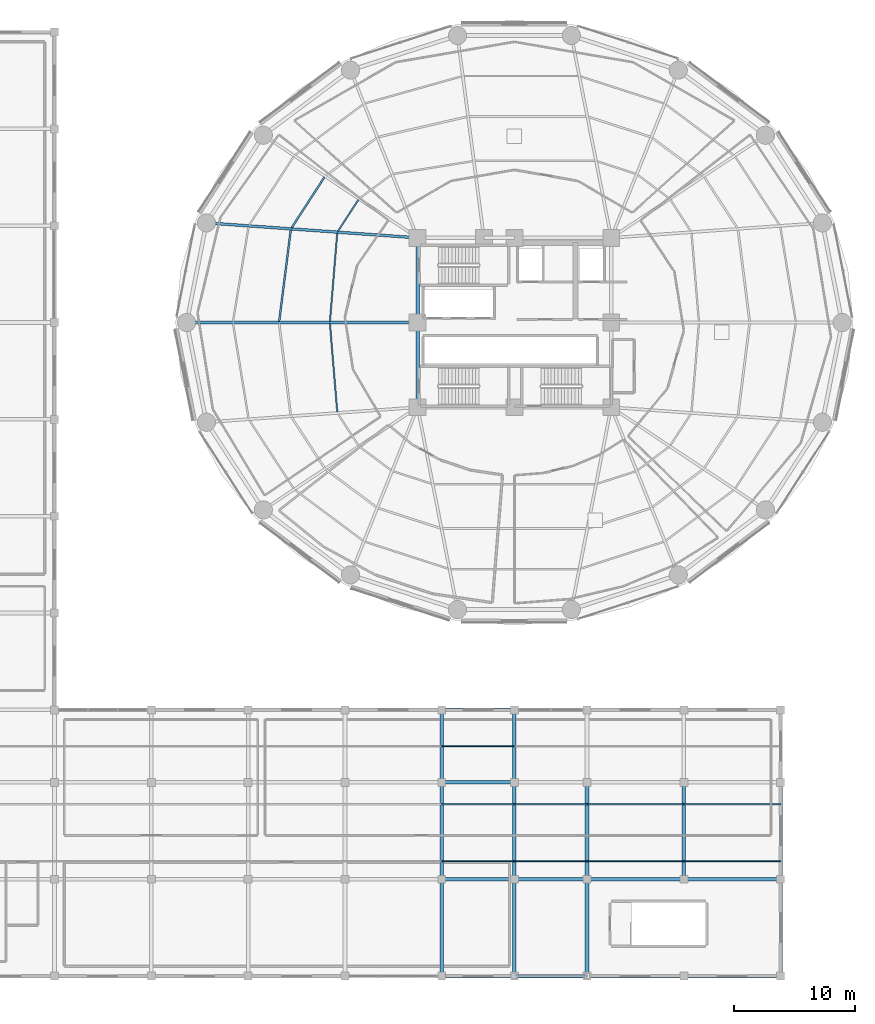
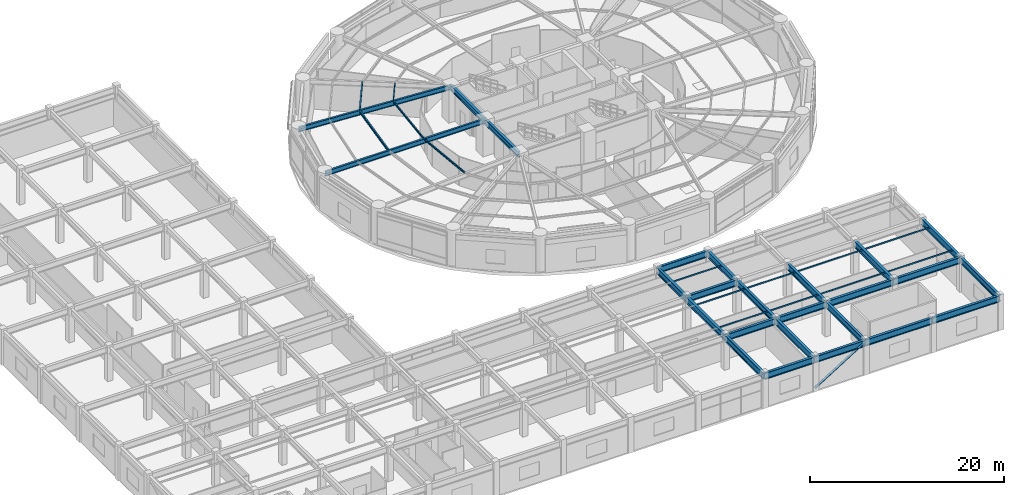
# One storey, part 15 of 46: 30 beams, 10 members.
"""IFC4 building model written with IfcOpenShell, lengths in metres."""

from ifc_helpers import new_model, si_unit, direction, frame, origin, origin_2d, place, context, subcontext, project, spatial, hollow_rectangle, hollow_circle, i_section, extrude, material, material_profile, profile_set, type_object, element, save


model = new_model("IFC4")

# Units and contexts
model_context = context("Model", 3, precision=1e-05, world=origin(), true_north=direction((0.0, 1.0)))
body_context = subcontext(model_context, "Body", "Model", "MODEL_VIEW")
ifc_project = project(units=[si_unit("LENGTHUNIT", "METRE"), si_unit("AREAUNIT", "SQUARE_METRE"), si_unit("VOLUMEUNIT", "CUBIC_METRE"), si_unit("PLANEANGLEUNIT", "RADIAN"), si_unit("MASSUNIT", "GRAM", prefix="KILO")], contexts=[model_context])

# Site, building, storey
site_placement = place(None, origin())
site = spatial("IfcSite", under=ifc_project, at=site_placement, CompositionType="ELEMENT")
building_placement = place(site_placement, origin())
building = spatial("IfcBuilding", under=site, at=building_placement, Name="Kelanora Arch Commons", CompositionType="ELEMENT")
storey_placement = place(building_placement, frame((0.0, 0.0, 18.0)))
storey = spatial("IfcBuildingStorey", under=building, at=storey_placement, Name="L04", CompositionType="ELEMENT", Elevation=18.0)

# Beams
ifc_material = material(Name="Steel S355", Category="steel")
ifc_material_profile_1 = material_profile(ifc_material, i_section(OverallWidth=0.300048828125, OverallDepth=0.699951171875, WebThickness=0.01708984375, FlangeThickness=0.031982421875, FilletRadius=0.027099609375, at=origin_2d()), Name="HEB700")
ifc_profile_set_1 = profile_set([ifc_material_profile_1], Name="Steel S355")
beam_type_1 = type_object("IfcBeamType", Name="BM-CORE-HDR", PredefinedType="BEAM", material=ifc_profile_set_1)
for number, where, z_axis, x_axis, name in (
    (1, (66.0, 65.0, 3.889892578125), (0.0, -1.0, 0.0), (1.0, 0.0, 0.0), "Core Header Beam 08 L04"),
    (2, (66.0, 58.0, 3.889892578125), (0.0, -1.0, 0.0), (1.0, 0.0, 0.0), "Core Header Beam 09 L04"),
):
    element("IfcBeam", number, at=place(storey_placement, frame(where, z_axis=z_axis, x_axis=x_axis)), inside=storey, type_object=beam_type_1, Name=name, PredefinedType="BEAM", context=body_context, shape_type="SweptSolid", body=[
        extrude(i_section(OverallWidth=0.300048828125, OverallDepth=0.699951171875, WebThickness=0.01708984375, FlangeThickness=0.031982421875, FilletRadius=0.027099609375, at=origin_2d()), origin(), (0.0, 0.0, 1.0), 7.0),
    ])
ifc_material_profile_2 = material_profile(ifc_material, i_section(OverallWidth=0.14990234375, OverallDepth=0.300048828125, WebThickness=0.007080078125, FlangeThickness=0.0107421875, FilletRadius=0.014892578125, at=origin_2d()), Name="IPE300")
ifc_profile_set_2 = profile_set([ifc_material_profile_2], Name="Steel S355")
beam_type_2 = type_object("IfcBeamType", Name="BM-JST-01", PredefinedType="JOIST", material=ifc_profile_set_2)
beam_1_placement = place(storey_placement, frame((58.306884765625, 70.015625, 4.090087890625), z_axis=(-0.544551588245, -0.838727350061, 0.0), x_axis=(0.838727350061, -0.544551588245, 0.0)))
element("IfcBeam", 3, at=beam_1_placement, inside=storey, type_object=beam_type_2, Name="Secondary Chord Joist BJB-14 L04", PredefinedType="JOIST", context=body_context, shape_type="SweptSolid", body=[
    extrude(i_section(OverallWidth=0.14990234375, OverallDepth=0.300048828125, WebThickness=0.007080078125, FlangeThickness=0.0107421875, FilletRadius=0.014892578125, at=origin_2d()), origin(), (0.0, 0.0, 1.0), 5.010986328125),
])
beam_2_placement = place(storey_placement, frame((55.521240234375, 65.6572265625, 4.090087890625), z_axis=(-0.125565841651, -0.992085288375, 0.0), x_axis=(0.992085288375, -0.125565841651, 0.0)))
element("IfcBeam", 4, at=beam_2_placement, inside=storey, type_object=beam_type_2, Name="Secondary Chord Joist BJB-16 L04", PredefinedType="JOIST", context=body_context, shape_type="SweptSolid", body=[
    extrude(i_section(OverallWidth=0.14990234375, OverallDepth=0.300048828125, WebThickness=0.007080078125, FlangeThickness=0.0107421875, FilletRadius=0.014892578125, at=origin_2d()), origin(), (0.0, 0.0, 1.0), 7.63330078125),
])
ifc_material_profile_3 = material_profile(ifc_material, i_section(OverallWidth=0.1201171875, OverallDepth=0.239990234375, WebThickness=0.006103515625, FlangeThickness=0.009765625, FilletRadius=0.014892578125, at=origin_2d()), Name="IPE240")
ifc_profile_set_3 = profile_set([ifc_material_profile_3], Name="Steel S355")
beam_type_3 = type_object("IfcBeamType", Name="BM-JST-02", PredefinedType="JOIST", material=ifc_profile_set_3)
beam_3_placement = place(storey_placement, frame((61.11083984375, 68.150390625, 4.1201171875), z_axis=(-0.544591105858, -0.838701691557, 0.0), x_axis=(0.838701691557, -0.544591105858, 0.0)))
element("IfcBeam", 5, at=beam_3_placement, inside=storey, type_object=beam_type_3, Name="Secondary Chord Joist BJA-14 L04", PredefinedType="JOIST", context=body_context, shape_type="SweptSolid", body=[
    extrude(i_section(OverallWidth=0.1201171875, OverallDepth=0.239990234375, WebThickness=0.006103515625, FlangeThickness=0.009765625, FilletRadius=0.014892578125, at=origin_2d()), origin(), (0.0, 0.0, 1.0), 3.111328125),
])
for number, where, z_axis, x_axis, name in (
    (6, (59.363037109375, 65.385009765625, 4.1201171875), (-0.082786209886, -0.996567330115, 0.0), (0.996567330115, -0.082786209886, 0.0), "Secondary Chord Joist BJA-16 L04"),
    (7, (58.756591796875, 57.915283203125, 4.1201171875), (0.082786209886, -0.996567330115, 0.0), (0.996567330115, 0.082786209886, 0.0), "Secondary Chord Joist BJA-18 L04"),
):
    element("IfcBeam", number, at=place(storey_placement, frame(where, z_axis=z_axis, x_axis=x_axis)), inside=storey, type_object=beam_type_3, Name=name, PredefinedType="JOIST", context=body_context, shape_type="SweptSolid", body=[
        extrude(i_section(OverallWidth=0.1201171875, OverallDepth=0.239990234375, WebThickness=0.006103515625, FlangeThickness=0.009765625, FilletRadius=0.014892578125, at=origin_2d()), origin(), (0.0, 0.0, 1.0), 7.325439453125),
    ])
ifc_material_profile_4 = material_profile(ifc_material, i_section(OverallWidth=0.300048828125, OverallDepth=0.800048828125, WebThickness=0.017578125, FlangeThickness=0.032958984375, FilletRadius=0.030029296875, at=origin_2d()), Name="HEB800")
ifc_profile_set_4 = profile_set([ifc_material_profile_4], Name="Steel S355")
beam_type_4 = type_object("IfcBeamType", Name="BM-MKT-ROOF", PredefinedType="USERDEFINED", material=ifc_profile_set_4)
beam_4_placement = place(storey_placement, frame((68.0, 4.0, 3.860107421875), z_axis=(1.0, 0.0, 0.0), x_axis=(0.0, 1.0, 0.0)))
element("IfcBeam", 8, at=beam_4_placement, inside=storey, type_object=beam_type_4, Name="Market/Basement Frame Beam 115 L04", ObjectType="TRANSFER_GIRDER", PredefinedType="USERDEFINED", context=body_context, shape_type="SweptSolid", body=[
    extrude(i_section(OverallWidth=0.300048828125, OverallDepth=0.800048828125, WebThickness=0.017578125, FlangeThickness=0.032958984375, FilletRadius=0.030029296875, at=origin_2d()), origin(), (0.0, 0.0, 1.0), 6.0),
])
beam_5_placement = place(storey_placement, frame((68.0, 4.0, 3.860107421875), z_axis=(0.0, 1.0, 0.0), x_axis=(-1.0, 0.0, 0.0)))
element("IfcBeam", 9, at=beam_5_placement, inside=storey, type_object=beam_type_4, Name="Market/Basement Frame Beam 116 L04", ObjectType="TRANSFER_GIRDER", PredefinedType="USERDEFINED", context=body_context, shape_type="SweptSolid", body=[
    extrude(i_section(OverallWidth=0.300048828125, OverallDepth=0.800048828125, WebThickness=0.017578125, FlangeThickness=0.032958984375, FilletRadius=0.030029296875, at=origin_2d()), origin(), (0.0, 0.0, 1.0), 8.0),
])
beam_6_placement = place(storey_placement, frame((68.0, 12.0, 3.860107421875), z_axis=(1.0, 0.0, 0.0), x_axis=(0.0, 1.0, 0.0)))
element("IfcBeam", 10, at=beam_6_placement, inside=storey, type_object=beam_type_4, Name="Market/Basement Frame Beam 117 L04", ObjectType="TRANSFER_GIRDER", PredefinedType="USERDEFINED", context=body_context, shape_type="SweptSolid", body=[
    extrude(i_section(OverallWidth=0.300048828125, OverallDepth=0.800048828125, WebThickness=0.017578125, FlangeThickness=0.032958984375, FilletRadius=0.030029296875, at=origin_2d()), origin(), (0.0, 0.0, 1.0), 6.0),
])
beam_7_placement = place(storey_placement, frame((68.0, 12.0, 3.860107421875), z_axis=(0.0, 1.0, 0.0), x_axis=(-1.0, 0.0, 0.0)))
element("IfcBeam", 11, at=beam_7_placement, inside=storey, type_object=beam_type_4, Name="Market/Basement Frame Beam 118 L04", ObjectType="TRANSFER_GIRDER", PredefinedType="USERDEFINED", context=body_context, shape_type="SweptSolid", body=[
    extrude(i_section(OverallWidth=0.300048828125, OverallDepth=0.800048828125, WebThickness=0.017578125, FlangeThickness=0.032958984375, FilletRadius=0.030029296875, at=origin_2d()), origin(), (0.0, 0.0, 1.0), 8.0),
])
for number, where, z_axis, x_axis, name in (
    (12, (68.0, 20.0, 3.860107421875), (1.0, 0.0, 0.0), (0.0, 1.0, 0.0), "Market/Basement Frame Beam 119 L04"),
    (13, (68.0, 20.0, 3.860107421875), (0.0, 1.0, 0.0), (-1.0, 0.0, 0.0), "Market/Basement Frame Beam 120 L04"),
    (14, (68.0, 26.0, 3.860107421875), (1.0, 0.0, 0.0), (0.0, 1.0, 0.0), "Market/Basement Frame Beam 121 L04"),
    (15, (74.0, 4.0, 3.860107421875), (1.0, 0.0, 0.0), (0.0, 1.0, 0.0), "Market/Basement Frame Beam 122 L04"),
):
    element("IfcBeam", number, at=place(storey_placement, frame(where, z_axis=z_axis, x_axis=x_axis)), inside=storey, type_object=beam_type_4, Name=name, ObjectType="TRANSFER_GIRDER", PredefinedType="USERDEFINED", context=body_context, shape_type="SweptSolid", body=[
        extrude(i_section(OverallWidth=0.300048828125, OverallDepth=0.800048828125, WebThickness=0.017578125, FlangeThickness=0.032958984375, FilletRadius=0.030029296875, at=origin_2d()), origin(), (0.0, 0.0, 1.0), 6.0),
    ])
beam_8_placement = place(storey_placement, frame((74.0, 4.0, 3.860107421875), z_axis=(0.0, 1.0, 0.0), x_axis=(-1.0, 0.0, 0.0)))
element("IfcBeam", 16, at=beam_8_placement, inside=storey, type_object=beam_type_4, Name="Market/Basement Frame Beam 123 L04", ObjectType="TRANSFER_GIRDER", PredefinedType="USERDEFINED", context=body_context, shape_type="SweptSolid", body=[
    extrude(i_section(OverallWidth=0.300048828125, OverallDepth=0.800048828125, WebThickness=0.017578125, FlangeThickness=0.032958984375, FilletRadius=0.030029296875, at=origin_2d()), origin(), (0.0, 0.0, 1.0), 8.0),
])
beam_9_placement = place(storey_placement, frame((74.0, 12.0, 3.860107421875), z_axis=(1.0, 0.0, 0.0), x_axis=(0.0, 1.0, 0.0)))
element("IfcBeam", 17, at=beam_9_placement, inside=storey, type_object=beam_type_4, Name="Market/Basement Frame Beam 124 L04", ObjectType="TRANSFER_GIRDER", PredefinedType="USERDEFINED", context=body_context, shape_type="SweptSolid", body=[
    extrude(i_section(OverallWidth=0.300048828125, OverallDepth=0.800048828125, WebThickness=0.017578125, FlangeThickness=0.032958984375, FilletRadius=0.030029296875, at=origin_2d()), origin(), (0.0, 0.0, 1.0), 6.0),
])
beam_10_placement = place(storey_placement, frame((74.0, 12.0, 3.860107421875), z_axis=(0.0, 1.0, 0.0), x_axis=(-1.0, 0.0, 0.0)))
element("IfcBeam", 18, at=beam_10_placement, inside=storey, type_object=beam_type_4, Name="Market/Basement Frame Beam 125 L04", ObjectType="TRANSFER_GIRDER", PredefinedType="USERDEFINED", context=body_context, shape_type="SweptSolid", body=[
    extrude(i_section(OverallWidth=0.300048828125, OverallDepth=0.800048828125, WebThickness=0.017578125, FlangeThickness=0.032958984375, FilletRadius=0.030029296875, at=origin_2d()), origin(), (0.0, 0.0, 1.0), 8.0),
])
beam_11_placement = place(storey_placement, frame((74.0, 20.0, 3.860107421875), z_axis=(0.0, 1.0, 0.0), x_axis=(-1.0, 0.0, 0.0)))
element("IfcBeam", 19, at=beam_11_placement, inside=storey, type_object=beam_type_4, Name="Market/Basement Frame Beam 127 L04", ObjectType="TRANSFER_GIRDER", PredefinedType="USERDEFINED", context=body_context, shape_type="SweptSolid", body=[
    extrude(i_section(OverallWidth=0.300048828125, OverallDepth=0.800048828125, WebThickness=0.017578125, FlangeThickness=0.032958984375, FilletRadius=0.030029296875, at=origin_2d()), origin(), (0.0, 0.0, 1.0), 6.0),
])
for number, where, z_axis, x_axis, name in (
    (20, (80.0, 4.0, 3.860107421875), (1.0, 0.0, 0.0), (0.0, 1.0, 0.0), "Market/Basement Frame Beam 129 L04"),
    (21, (80.0, 4.0, 3.860107421875), (0.0, 1.0, 0.0), (-1.0, 0.0, 0.0), "Market/Basement Frame Beam 130 L04"),
    (22, (80.0, 12.0, 3.860107421875), (1.0, 0.0, 0.0), (0.0, 1.0, 0.0), "Market/Basement Frame Beam 131 L04"),
    (23, (80.0, 12.0, 3.860107421875), (0.0, 1.0, 0.0), (-1.0, 0.0, 0.0), "Market/Basement Frame Beam 132 L04"),
    (24, (88.0, 4.0, 3.860107421875), (1.0, 0.0, 0.0), (0.0, 1.0, 0.0), "Market/Basement Frame Beam 136 L04"),
    (25, (88.0, 12.0, 3.860107421875), (1.0, 0.0, 0.0), (0.0, 1.0, 0.0), "Market/Basement Frame Beam 137 L04"),
    (26, (88.0, 12.0, 3.860107421875), (0.0, 1.0, 0.0), (-1.0, 0.0, 0.0), "Market/Basement Frame Beam 138 L04"),
    (27, (96.0, 4.0, 3.860107421875), (0.0, 1.0, 0.0), (-1.0, 0.0, 0.0), "Market/Basement Frame Beam 142 L04"),
    (28, (96.0, 12.0, 3.860107421875), (0.0, 1.0, 0.0), (-1.0, 0.0, 0.0), "Market/Basement Frame Beam 143 L04"),
):
    element("IfcBeam", number, at=place(storey_placement, frame(where, z_axis=z_axis, x_axis=x_axis)), inside=storey, type_object=beam_type_4, Name=name, ObjectType="TRANSFER_GIRDER", PredefinedType="USERDEFINED", context=body_context, shape_type="SweptSolid", body=[
        extrude(i_section(OverallWidth=0.300048828125, OverallDepth=0.800048828125, WebThickness=0.017578125, FlangeThickness=0.032958984375, FilletRadius=0.030029296875, at=origin_2d()), origin(), (0.0, 0.0, 1.0), 8.0),
    ])
ifc_material_profile_5 = material_profile(ifc_material, i_section(OverallWidth=0.219970703125, OverallDepth=0.60009765625, WebThickness=0.011962890625, FlangeThickness=0.01904296875, FilletRadius=0.02392578125, at=origin_2d()), Name="IPE600")
ifc_profile_set_5 = profile_set([ifc_material_profile_5], Name="Steel S355")
beam_type_5 = type_object("IfcBeamType", Name="BM-RAD-Z1", PredefinedType="BEAM", material=ifc_profile_set_5)
beam_12_placement = place(storey_placement, frame((66.0, 65.0, 3.93994140625), z_axis=(-0.997500683472, 0.070656821848, 0.0), x_axis=(-0.070656821848, -0.997500683472, 0.0)))
element("IfcBeam", 29, at=beam_12_placement, inside=storey, type_object=beam_type_5, Name="Radial Floor Girder BR-16 L04", PredefinedType="BEAM", context=body_context, shape_type="SweptSolid", body=[
    extrude(i_section(OverallWidth=0.219970703125, OverallDepth=0.60009765625, WebThickness=0.011962890625, FlangeThickness=0.01904296875, FilletRadius=0.02392578125, at=origin_2d()), origin(), (0.0, 0.0, 1.0), 17.49072265625),
])
beam_13_placement = place(storey_placement, frame((66.0, 58.0, 3.93994140625), z_axis=(-1.0, 0.0, 0.0), x_axis=(0.0, -1.0, 0.0)))
element("IfcBeam", 30, at=beam_13_placement, inside=storey, type_object=beam_type_5, Name="Radial Floor Girder BR-18 L04", PredefinedType="BEAM", context=body_context, shape_type="SweptSolid", body=[
    extrude(i_section(OverallWidth=0.219970703125, OverallDepth=0.60009765625, WebThickness=0.011962890625, FlangeThickness=0.01904296875, FilletRadius=0.02392578125, at=origin_2d()), origin(), (0.0, 0.0, 1.0), 19.080078125),
])

# Members
ifc_material_profile_6 = material_profile(ifc_material, hollow_circle(Radius=0.136474609375, WallThickness=0.012451171875, at=origin_2d()), Name="CHS273x12.5")
ifc_profile_set_6 = profile_set([ifc_material_profile_6], Name="Steel S355")
member_type_1 = type_object("IfcMemberType", Name="MEM-MKT-BRACE", PredefinedType="BRACE", material=ifc_profile_set_6)
member_1_placement = place(storey_placement, frame((74.0, 4.0, 0.25), z_axis=(0.848633994541, 0.0, 0.528980475357), x_axis=(0.0, 1.0, 0.0)))
element("IfcMember", 31, at=member_1_placement, inside=storey, type_object=member_type_1, Name="Market Hall Lateral Brace 02 L04", PredefinedType="BRACE", context=body_context, shape_type="SweptSolid", body=[
    extrude(hollow_circle(Radius=0.136474609375, WallThickness=0.012451171875, at=origin_2d()), origin(), (0.0, 0.0, 1.0), 7.070068359375),
])
ifc_material_profile_7 = material_profile(ifc_material, hollow_rectangle(XDim=0.070068359375, YDim=0.179931640625, WallThickness=0.0048828125, InnerFilletRadius=0.0048828125, OuterFilletRadius=0.010009765625, at=origin_2d()), Name="RHS180x70x5")
ifc_profile_set_7 = profile_set([ifc_material_profile_7], Name="Steel S355")
member_type_2 = type_object("IfcMemberType", Name="MEM-MKT-PURLIN", PredefinedType="PURLIN", material=ifc_profile_set_7)
for number, where, z_axis, x_axis, name in (
    (32, (68.0, 13.5, 4.14990234375), (1.0, 0.0, 0.0), (0.0, 1.0, 0.0), "Market Hall Roof Purlin 09"),
    (33, (74.0, 13.5, 4.14990234375), (1.0, 0.0, 0.0), (0.0, 1.0, 0.0), "Market Hall Roof Purlin 10"),
):
    element("IfcMember", number, at=place(storey_placement, frame(where, z_axis=z_axis, x_axis=x_axis)), inside=storey, type_object=member_type_2, Name=name, PredefinedType="PURLIN", context=body_context, shape_type="SweptSolid", body=[
        extrude(hollow_rectangle(XDim=0.070068359375, YDim=0.179931640625, WallThickness=0.0048828125, InnerFilletRadius=0.0048828125, OuterFilletRadius=0.010009765625, at=origin_2d()), origin(), (0.0, 0.0, 1.0), 6.0),
    ])
for number, where, z_axis, x_axis, name in (
    (34, (80.0, 13.5, 4.14990234375), (1.0, 0.0, 0.0), (0.0, 1.0, 0.0), "Market Hall Roof Purlin 11"),
    (35, (88.0, 13.5, 4.14990234375), (1.0, 0.0, 0.0), (0.0, 1.0, 0.0), "Market Hall Roof Purlin 12"),
):
    element("IfcMember", number, at=place(storey_placement, frame(where, z_axis=z_axis, x_axis=x_axis)), inside=storey, type_object=member_type_2, Name=name, PredefinedType="PURLIN", context=body_context, shape_type="SweptSolid", body=[
        extrude(hollow_rectangle(XDim=0.070068359375, YDim=0.179931640625, WallThickness=0.0048828125, InnerFilletRadius=0.0048828125, OuterFilletRadius=0.010009765625, at=origin_2d()), origin(), (0.0, 0.0, 1.0), 8.0),
    ])
for number, where, z_axis, x_axis, name in (
    (36, (68.0, 18.199951171875, 4.14990234375), (1.0, 0.0, 0.0), (0.0, 1.0, 0.0), "Market Hall Roof Purlin 21"),
    (37, (74.0, 18.199951171875, 4.14990234375), (1.0, 0.0, 0.0), (0.0, 1.0, 0.0), "Market Hall Roof Purlin 22"),
):
    element("IfcMember", number, at=place(storey_placement, frame(where, z_axis=z_axis, x_axis=x_axis)), inside=storey, type_object=member_type_2, Name=name, PredefinedType="PURLIN", context=body_context, shape_type="SweptSolid", body=[
        extrude(hollow_rectangle(XDim=0.070068359375, YDim=0.179931640625, WallThickness=0.0048828125, InnerFilletRadius=0.0048828125, OuterFilletRadius=0.010009765625, at=origin_2d()), origin(), (0.0, 0.0, 1.0), 6.0),
    ])
for number, where, z_axis, x_axis, name in (
    (38, (80.0, 18.199951171875, 4.14990234375), (1.0, 0.0, 0.0), (0.0, 1.0, 0.0), "Market Hall Roof Purlin 23"),
    (39, (88.0, 18.199951171875, 4.14990234375), (1.0, 0.0, 0.0), (0.0, 1.0, 0.0), "Market Hall Roof Purlin 24"),
):
    element("IfcMember", number, at=place(storey_placement, frame(where, z_axis=z_axis, x_axis=x_axis)), inside=storey, type_object=member_type_2, Name=name, PredefinedType="PURLIN", context=body_context, shape_type="SweptSolid", body=[
        extrude(hollow_rectangle(XDim=0.070068359375, YDim=0.179931640625, WallThickness=0.0048828125, InnerFilletRadius=0.0048828125, OuterFilletRadius=0.010009765625, at=origin_2d()), origin(), (0.0, 0.0, 1.0), 8.0),
    ])
member_2_placement = place(storey_placement, frame((68.0, 23.0, 4.14990234375), z_axis=(1.0, 0.0, 0.0), x_axis=(0.0, 1.0, 0.0)))
element("IfcMember", 40, at=member_2_placement, inside=storey, type_object=member_type_2, Name="Market Hall Roof Purlin 33", PredefinedType="PURLIN", context=body_context, shape_type="SweptSolid", body=[
    extrude(hollow_rectangle(XDim=0.070068359375, YDim=0.179931640625, WallThickness=0.0048828125, InnerFilletRadius=0.0048828125, OuterFilletRadius=0.010009765625, at=origin_2d()), origin(), (0.0, 0.0, 1.0), 6.0),
])

save(model, "model.ifc")
